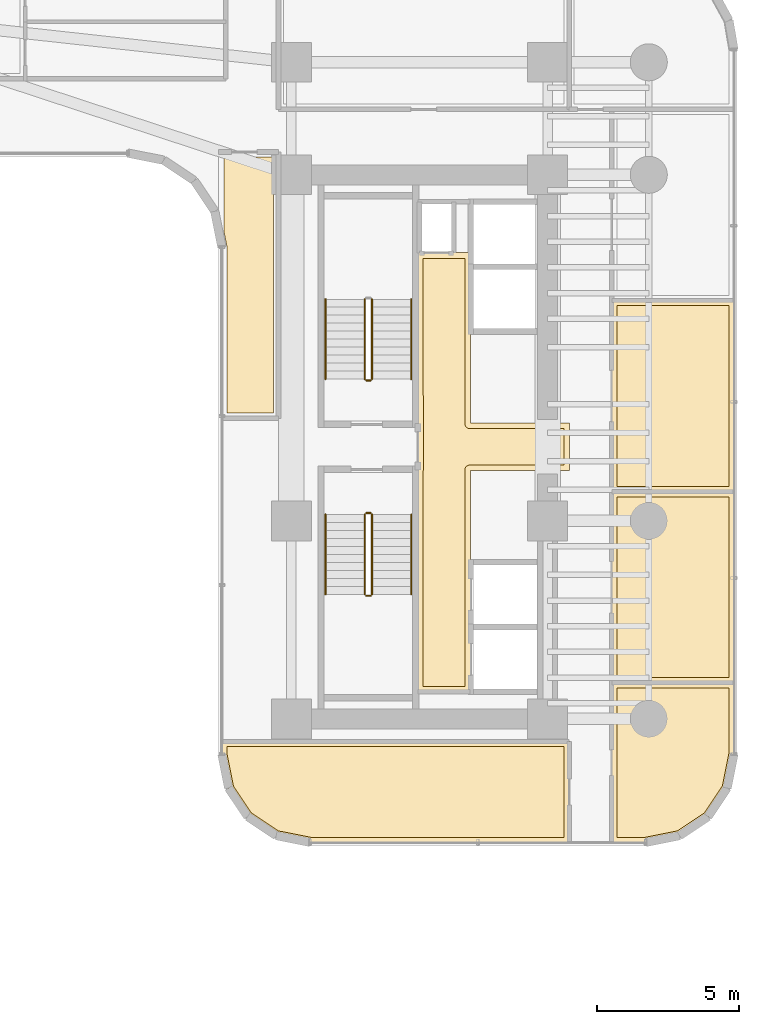
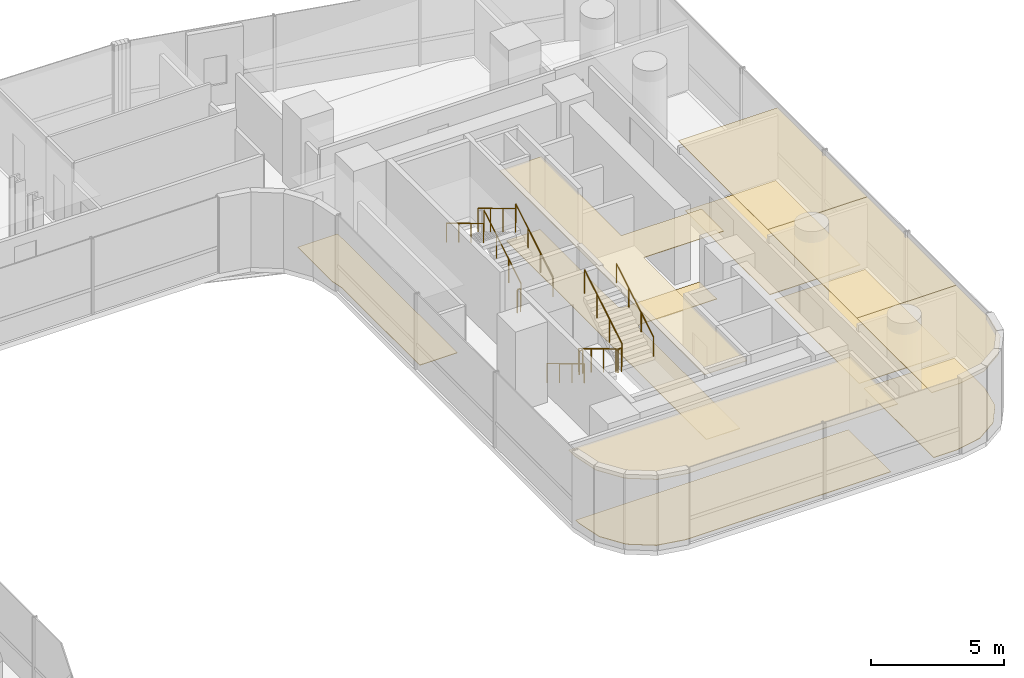
# One storey, part 39 of 41: 11 coverings, 11 railings.
"""IFC4 building model written with IfcOpenShell, lengths in metres."""

from ifc_helpers import new_model, si_unit, direction, frame, origin, origin_2d, place, context, subcontext, project, spatial, polyline, circle, outline, extrude, material, layer, layer_set, type_object, element, save


model = new_model("IFC4")

# Units and contexts
model_context = context("Model", 3, precision=1e-05, world=origin(), true_north=direction((0.0, 1.0)))
body_context = subcontext(model_context, "Body", "Model", "MODEL_VIEW")
ifc_project = project(units=[si_unit("LENGTHUNIT", "METRE"), si_unit("AREAUNIT", "SQUARE_METRE"), si_unit("VOLUMEUNIT", "CUBIC_METRE"), si_unit("PLANEANGLEUNIT", "RADIAN"), si_unit("MASSUNIT", "GRAM", prefix="KILO")], contexts=[model_context])

# Site, building, storey
site_placement = place(None, origin())
site = spatial("IfcSite", under=ifc_project, at=site_placement, CompositionType="ELEMENT")
building_placement = place(site_placement, origin())
building = spatial("IfcBuilding", under=site, at=building_placement, Name="Valdorenza Pilgrim Sanctuary Tower", CompositionType="ELEMENT")
storey_placement = place(building_placement, frame((0.0, 0.0, 85.199951171875)))
storey = spatial("IfcBuildingStorey", under=building, at=storey_placement, Name="L21", CompositionType="ELEMENT", Elevation=85.199951171875)

# Coverings
ifc_material_1 = material(Name="Micro-perforated acoustic mineral ceiling tile", Category="gypsum")
ifc_layer_1 = layer(ifc_material_1, 0.02490234375, Name="Micro-perforated acoustic mineral ceiling tile")
ifc_layer_set_1 = layer_set([ifc_layer_1], Name="Micro-perforated acoustic mineral ceiling tile")
covering_type_1 = type_object("IfcCoveringType", Name="COV-CLG-ACU", PredefinedType="CEILING", material=ifc_layer_set_1)
covering_1_placement = place(storey_placement, frame((0.0, 0.0, 3.16015625)))
element("IfcCovering", 1, at=covering_1_placement, inside=storey, type_object=covering_type_1, Name="L21 Core B Passenger Lift Lobby Acoustic Ceiling", PredefinedType="CEILING", context=body_context, shape_type="SweptSolid", body=[
    extrude(outline(polyline([(20.287109375, -0.814697265625), (20.287109375, 0.814697265625), (20.28662109375, 0.815185546875), (20.2861328125, 0.81640625), (20.28564453125, 0.81787109375), (20.285400390625, 0.819091796875), (20.28515625, 0.820556640625), (20.284912109375, 0.822021484375), (20.284912109375, 6.800048828125), (20.28515625, 6.801513671875), (20.285400390625, 6.802978515625), (20.28564453125, 6.804443359375), (20.2861328125, 6.8056640625), (20.286865234375, 6.80712890625), (20.28759765625, 6.808349609375), (20.288330078125, 6.8095703125), (20.289306640625, 6.810546875), (20.29052734375, 6.8115234375), (20.291748046875, 6.8125), (20.29296875, 6.813232421875), (20.294189453125, 6.81396484375), (20.295654296875, 6.814453125), (20.297119140625, 6.814697265625), (20.298583984375, 6.81494140625), (20.300048828125, 6.81494140625), (20.347900390625, 6.81494140625), (20.349365234375, 6.81494140625), (20.350830078125, 6.814697265625), (20.352294921875, 6.814453125), (20.353515625, 6.81396484375), (20.35498046875, 6.813232421875), (20.35546875, 6.81298828125), (21.544677734375, 6.81298828125), (21.545166015625, 6.813232421875), (21.54638671875, 6.81396484375), (21.5478515625, 6.814453125), (21.54931640625, 6.814697265625), (21.550537109375, 6.81494140625), (21.552001953125, 6.81494140625), (22.1201171875, 6.81494140625), (22.12158203125, 6.81494140625), (22.122802734375, 6.814697265625), (22.12451171875, 6.814453125), (22.125732421875, 6.81396484375), (22.127197265625, 6.813232421875), (22.12841796875, 6.8125), (22.12939453125, 6.8115234375), (22.130615234375, 6.810546875), (22.131591796875, 6.8095703125), (22.132568359375, 6.808349609375), (22.13330078125, 6.80712890625), (22.1337890625, 6.8056640625), (22.134521484375, 6.804443359375), (22.134765625, 6.802978515625), (22.135009765625, 6.801513671875), (22.135009765625, 6.800048828125), (22.135009765625, 0.8349609375), (25.60009765625, 0.8349609375), (25.6015625, 0.8349609375), (25.602783203125, 0.834716796875), (25.6044921875, 0.83447265625), (25.605712890625, 0.833984375), (25.607177734375, 0.833251953125), (25.6083984375, 0.83251953125), (25.609619140625, 0.83154296875), (25.610595703125, 0.83056640625), (25.611572265625, 0.82958984375), (25.612548828125, 0.828369140625), (25.61328125, 0.8271484375), (25.614013671875, 0.82568359375), (25.614501953125, 0.824462890625), (25.61474609375, 0.822998046875), (25.614990234375, 0.821533203125), (25.614990234375, 0.820068359375), (25.614990234375, -0.820068359375), (25.614990234375, -0.821533203125), (25.61474609375, -0.822998046875), (25.614501953125, -0.824462890625), (25.614013671875, -0.82568359375), (25.61328125, -0.8271484375), (25.612548828125, -0.828369140625), (25.611572265625, -0.82958984375), (25.610595703125, -0.83056640625), (25.609619140625, -0.83154296875), (25.6083984375, -0.83251953125), (25.607177734375, -0.833251953125), (25.605712890625, -0.833984375), (25.6044921875, -0.83447265625), (25.602783203125, -0.834716796875), (25.6015625, -0.8349609375), (25.60009765625, -0.8349609375), (22.135009765625, -0.8349609375), (22.135009765625, -8.60009765625), (22.135009765625, -8.6015625), (22.134765625, -8.602783203125), (22.134521484375, -8.6044921875), (22.1337890625, -8.605712890625), (22.13330078125, -8.607177734375), (22.132568359375, -8.6083984375), (22.131591796875, -8.609619140625), (22.130615234375, -8.610595703125), (22.12939453125, -8.611572265625), (22.12841796875, -8.612548828125), (22.127197265625, -8.61328125), (22.125732421875, -8.614013671875), (22.12451171875, -8.614501953125), (22.122802734375, -8.61474609375), (22.12158203125, -8.614990234375), (22.1201171875, -8.614990234375), (20.300048828125, -8.614990234375), (20.298583984375, -8.614990234375), (20.297119140625, -8.61474609375), (20.295654296875, -8.614501953125), (20.294189453125, -8.614013671875), (20.29296875, -8.61328125), (20.291748046875, -8.612548828125), (20.29052734375, -8.611572265625), (20.289306640625, -8.610595703125), (20.288330078125, -8.609619140625), (20.28759765625, -8.6083984375), (20.286865234375, -8.607177734375), (20.2861328125, -8.605712890625), (20.28564453125, -8.6044921875), (20.285400390625, -8.602783203125), (20.28515625, -8.6015625), (20.284912109375, -8.60009765625), (20.284912109375, -0.822021484375), (20.28515625, -0.820556640625), (20.285400390625, -0.819091796875), (20.28564453125, -0.81787109375), (20.2861328125, -0.81640625), (20.28662109375, -0.815185546875), (20.287109375, -0.814697265625)])), origin(), (0.0, 0.0, 1.0), 0.02490234375),
])
covering_2_placement = place(storey_placement, frame((0.0, 0.0, 3.16015625)))
element("IfcCovering", 2, at=covering_2_placement, inside=storey, type_object=covering_type_1, Name="L21 Theological Reference Library L21-BS Acoustic Ceiling", PredefinedType="CEILING", context=body_context, shape_type="SweptSolid", body=[
    extrude(outline(polyline([(25.614990234375, -13.889892578125), (25.614990234375, -13.8916015625), (25.61474609375, -13.892822265625), (25.614501953125, -13.894287109375), (25.614013671875, -13.895751953125), (25.61328125, -13.897216796875), (25.612548828125, -13.898193359375), (25.611572265625, -13.8994140625), (25.610595703125, -13.900634765625), (25.609619140625, -13.901611328125), (25.6083984375, -13.902587890625), (25.607177734375, -13.9033203125), (25.605712890625, -13.90380859375), (25.6044921875, -13.904296875), (25.602783203125, -13.90478515625), (25.6015625, -13.90478515625), (25.60009765625, -13.905029296875), (16.5107421875, -13.905029296875), (16.509521484375, -13.90478515625), (16.5078125, -13.90478515625), (15.3154296875, -13.66748046875), (15.31396484375, -13.6669921875), (15.3125, -13.66650390625), (15.311279296875, -13.666015625), (15.31005859375, -13.665283203125), (14.308349609375, -12.995849609375), (14.30712890625, -12.9951171875), (14.305908203125, -12.993896484375), (14.304931640625, -12.992919921875), (14.30419921875, -12.99169921875), (13.634765625, -11.989990234375), (13.634033203125, -11.98876953125), (13.63330078125, -11.9873046875), (13.6328125, -11.986083984375), (13.632568359375, -11.984619140625), (13.395263671875, -10.7919921875), (13.39501953125, -10.79052734375), (13.39501953125, -10.789306640625), (13.39501953125, -10.35009765625), (13.39501953125, -10.348388671875), (13.395263671875, -10.34716796875), (13.3955078125, -10.345703125), (13.39599609375, -10.34423828125), (13.396728515625, -10.343017578125), (13.3974609375, -10.341796875), (13.3984375, -10.340576171875), (13.3994140625, -10.33935546875), (13.400390625, -10.33837890625), (13.401611328125, -10.33740234375), (13.40283203125, -10.3369140625), (13.404296875, -10.336181640625), (13.405517578125, -10.335693359375), (13.406982421875, -10.335205078125), (13.408447265625, -10.335205078125), (13.409912109375, -10.3349609375), (25.60009765625, -10.3349609375), (25.6015625, -10.335205078125), (25.602783203125, -10.335205078125), (25.6044921875, -10.335693359375), (25.605712890625, -10.336181640625), (25.607177734375, -10.3369140625), (25.6083984375, -10.33740234375), (25.609619140625, -10.33837890625), (25.610595703125, -10.33935546875), (25.611572265625, -10.340576171875), (25.612548828125, -10.341796875), (25.61328125, -10.343017578125), (25.614013671875, -10.34423828125), (25.614501953125, -10.345703125), (25.61474609375, -10.34716796875), (25.614990234375, -10.348388671875), (25.614990234375, -10.35009765625), (25.614990234375, -13.889892578125)])), origin(), (0.0, 0.0, 1.0), 0.02490234375),
])
covering_3_placement = place(storey_placement, frame((0.0, 0.0, 3.16015625)))
element("IfcCovering", 3, at=covering_3_placement, inside=storey, type_object=covering_type_1, Name="L21 East Reading Lounge L21-EB1 Acoustic Ceiling", PredefinedType="CEILING", context=body_context, shape_type="SweptSolid", body=[
    extrude(outline(polyline([(31.389892578125, -8.2724609375), (31.3916015625, -8.272705078125), (31.392822265625, -8.272705078125), (31.394287109375, -8.273193359375), (31.395751953125, -8.273681640625), (31.397216796875, -8.2744140625), (31.398193359375, -8.27490234375), (31.3994140625, -8.27587890625), (31.400634765625, -8.27685546875), (31.401611328125, -8.278076171875), (31.402587890625, -8.279296875), (31.4033203125, -8.280517578125), (31.40380859375, -8.28173828125), (31.404296875, -8.283203125), (31.40478515625, -8.28466796875), (31.40478515625, -8.285888671875), (31.405029296875, -8.28759765625), (31.405029296875, -10.789306640625), (31.40478515625, -10.79052734375), (31.40478515625, -10.7919921875), (31.16748046875, -11.984619140625), (31.1669921875, -11.986083984375), (31.16650390625, -11.9873046875), (31.166015625, -11.98876953125), (31.165283203125, -11.989990234375), (30.495849609375, -12.99169921875), (30.4951171875, -12.992919921875), (30.493896484375, -12.993896484375), (30.492919921875, -12.9951171875), (30.49169921875, -12.995849609375), (29.489990234375, -13.665283203125), (29.48876953125, -13.666015625), (29.4873046875, -13.66650390625), (29.486083984375, -13.6669921875), (29.484619140625, -13.66748046875), (28.2919921875, -13.90478515625), (28.29052734375, -13.90478515625), (28.289306640625, -13.905029296875), (27.10009765625, -13.905029296875), (27.098388671875, -13.90478515625), (27.09716796875, -13.90478515625), (27.095703125, -13.904296875), (27.09423828125, -13.90380859375), (27.093017578125, -13.9033203125), (27.091796875, -13.902587890625), (27.090576171875, -13.901611328125), (27.08935546875, -13.900634765625), (27.08837890625, -13.8994140625), (27.08740234375, -13.898193359375), (27.0869140625, -13.897216796875), (27.086181640625, -13.895751953125), (27.085693359375, -13.894287109375), (27.085205078125, -13.892822265625), (27.085205078125, -13.8916015625), (27.0849609375, -13.889892578125), (27.0849609375, -8.28759765625), (27.085205078125, -8.285888671875), (27.085205078125, -8.28466796875), (27.085693359375, -8.283203125), (27.086181640625, -8.28173828125), (27.0869140625, -8.280517578125), (27.08740234375, -8.279296875), (27.08837890625, -8.278076171875), (27.08935546875, -8.27685546875), (27.090576171875, -8.27587890625), (27.091796875, -8.27490234375), (27.093017578125, -8.2744140625), (27.09423828125, -8.273681640625), (27.095703125, -8.273193359375), (27.09716796875, -8.272705078125), (27.098388671875, -8.272705078125), (27.10009765625, -8.2724609375), (31.389892578125, -8.2724609375)])), origin(), (0.0, 0.0, 1.0), 0.02490234375),
])
covering_4_placement = place(storey_placement, frame((0.0, 0.0, 3.16015625)))
element("IfcCovering", 4, at=covering_4_placement, inside=storey, type_object=covering_type_1, Name="L21 East Reading Lounge L21-EB2 Acoustic Ceiling", PredefinedType="CEILING", context=body_context, shape_type="SweptSolid", body=[
    extrude(outline(polyline([(27.0849609375, -1.574951171875), (27.085205078125, -1.573486328125), (27.085205078125, -1.572021484375), (27.085693359375, -1.570556640625), (27.086181640625, -1.5693359375), (27.0869140625, -1.56787109375), (27.08740234375, -1.566650390625), (27.08837890625, -1.5654296875), (27.08935546875, -1.564453125), (27.090576171875, -1.5634765625), (27.091796875, -1.5625), (27.093017578125, -1.561767578125), (27.09423828125, -1.56103515625), (27.095703125, -1.560546875), (27.09716796875, -1.560302734375), (27.098388671875, -1.56005859375), (27.10009765625, -1.56005859375), (31.389892578125, -1.56005859375), (31.3916015625, -1.56005859375), (31.392822265625, -1.560302734375), (31.394287109375, -1.560546875), (31.395751953125, -1.56103515625), (31.397216796875, -1.561767578125), (31.398193359375, -1.5625), (31.3994140625, -1.5634765625), (31.400634765625, -1.564453125), (31.401611328125, -1.5654296875), (31.402587890625, -1.566650390625), (31.4033203125, -1.56787109375), (31.40380859375, -1.5693359375), (31.404296875, -1.570556640625), (31.40478515625, -1.572021484375), (31.40478515625, -1.573486328125), (31.405029296875, -1.574951171875), (31.405029296875, -8.285400390625), (31.40478515625, -8.287109375), (31.40478515625, -8.288330078125), (31.404296875, -8.289794921875), (31.40380859375, -8.291259765625), (31.4033203125, -8.29248046875), (31.402587890625, -8.293701171875), (31.401611328125, -8.294921875), (31.400634765625, -8.296142578125), (31.3994140625, -8.297119140625), (31.398193359375, -8.298095703125), (31.397216796875, -8.298583984375), (31.395751953125, -8.29931640625), (31.394287109375, -8.2998046875), (31.392822265625, -8.30029296875), (31.3916015625, -8.30029296875), (31.389892578125, -8.300537109375), (27.10009765625, -8.300537109375), (27.098388671875, -8.30029296875), (27.09716796875, -8.30029296875), (27.095703125, -8.2998046875), (27.09423828125, -8.29931640625), (27.093017578125, -8.298583984375), (27.091796875, -8.298095703125), (27.090576171875, -8.297119140625), (27.08935546875, -8.296142578125), (27.08837890625, -8.294921875), (27.08740234375, -8.293701171875), (27.0869140625, -8.29248046875), (27.086181640625, -8.291259765625), (27.085693359375, -8.289794921875), (27.085205078125, -8.288330078125), (27.085205078125, -8.287109375), (27.0849609375, -8.285400390625), (27.0849609375, -1.574951171875)])), origin(), (0.0, 0.0, 1.0), 0.02490234375),
])
covering_5_placement = place(storey_placement, frame((0.0, 0.0, 3.16015625)))
element("IfcCovering", 5, at=covering_5_placement, inside=storey, type_object=covering_type_1, Name="L21 East Reading Lounge L21-EB3 Acoustic Ceiling", PredefinedType="CEILING", context=body_context, shape_type="SweptSolid", body=[
    extrude(outline(polyline([(27.0849609375, 5.137451171875), (27.085205078125, 5.138916015625), (27.085205078125, 5.140380859375), (27.085693359375, 5.141845703125), (27.086181640625, 5.143310546875), (27.0869140625, 5.14453125), (27.08740234375, 5.145751953125), (27.08837890625, 5.14697265625), (27.08935546875, 5.148193359375), (27.090576171875, 5.149169921875), (27.091796875, 5.14990234375), (27.093017578125, 5.150634765625), (27.09423828125, 5.1513671875), (27.095703125, 5.15185546875), (27.09716796875, 5.152099609375), (27.098388671875, 5.15234375), (27.10009765625, 5.152587890625), (31.389892578125, 5.152587890625), (31.3916015625, 5.15234375), (31.392822265625, 5.152099609375), (31.394287109375, 5.15185546875), (31.395751953125, 5.1513671875), (31.397216796875, 5.150634765625), (31.398193359375, 5.14990234375), (31.3994140625, 5.149169921875), (31.400634765625, 5.148193359375), (31.401611328125, 5.14697265625), (31.402587890625, 5.145751953125), (31.4033203125, 5.14453125), (31.40380859375, 5.143310546875), (31.404296875, 5.141845703125), (31.40478515625, 5.140380859375), (31.40478515625, 5.138916015625), (31.405029296875, 5.137451171875), (31.405029296875, -1.572998046875), (31.40478515625, -1.574462890625), (31.40478515625, -1.575927734375), (31.404296875, -1.577392578125), (31.40380859375, -1.57861328125), (31.4033203125, -1.580078125), (31.402587890625, -1.581298828125), (31.401611328125, -1.58251953125), (31.400634765625, -1.58349609375), (31.3994140625, -1.584716796875), (31.398193359375, -1.58544921875), (31.397216796875, -1.586181640625), (31.395751953125, -1.5869140625), (31.394287109375, -1.58740234375), (31.392822265625, -1.587646484375), (31.3916015625, -1.587890625), (31.389892578125, -1.587890625), (27.10009765625, -1.587890625), (27.098388671875, -1.587890625), (27.09716796875, -1.587646484375), (27.095703125, -1.58740234375), (27.09423828125, -1.5869140625), (27.093017578125, -1.586181640625), (27.091796875, -1.58544921875), (27.090576171875, -1.584716796875), (27.08935546875, -1.58349609375), (27.08837890625, -1.58251953125), (27.08740234375, -1.581298828125), (27.0869140625, -1.580078125), (27.086181640625, -1.57861328125), (27.085693359375, -1.577392578125), (27.085205078125, -1.575927734375), (27.085205078125, -1.574462890625), (27.0849609375, -1.572998046875), (27.0849609375, 5.137451171875)])), origin(), (0.0, 0.0, 1.0), 0.02490234375),
])
ifc_material_2 = material(Name="Honed travertine stone flooring", Category="masonry")
ifc_layer_2 = layer(ifc_material_2, 0.030029296875, Name="Honed travertine stone flooring")
ifc_layer_set_2 = layer_set([ifc_layer_2], Name="Honed travertine stone flooring")
covering_type_2 = type_object("IfcCoveringType", Name="COV-FLR-TRV", PredefinedType="FLOORING", material=ifc_layer_set_2)
covering_6_placement = place(storey_placement, origin())
element("IfcCovering", 6, at=covering_6_placement, inside=storey, type_object=covering_type_2, Name="L21 Core B Passenger Lift Lobby Flooring", PredefinedType="FLOORING", context=body_context, shape_type="SweptSolid", body=[
    extrude(outline(polyline([(20.47998046875, 6.617919921875), (21.550048828125, 6.617919921875), (21.550537109375, 6.617919921875), (21.93994140625, 6.619384765625), (21.93994140625, 0.820068359375), (21.94091796875, 0.802490234375), (21.943603515625, 0.784912109375), (21.94775390625, 0.767578125), (21.95361328125, 0.751220703125), (21.961181640625, 0.735107421875), (21.97021484375, 0.719970703125), (21.98095703125, 0.705810546875), (21.99267578125, 0.692626953125), (22.005859375, 0.680908203125), (22.02001953125, 0.67041015625), (22.03515625, 0.661376953125), (22.051025390625, 0.65380859375), (22.067626953125, 0.647705078125), (22.0849609375, 0.6435546875), (22.102294921875, 0.640869140625), (22.1201171875, 0.639892578125), (25.419921875, 0.639892578125), (25.419921875, -0.639892578125), (22.1201171875, -0.639892578125), (22.102294921875, -0.640869140625), (22.0849609375, -0.6435546875), (22.067626953125, -0.647705078125), (22.051025390625, -0.65380859375), (22.03515625, -0.661376953125), (22.02001953125, -0.67041015625), (22.005859375, -0.680908203125), (21.99267578125, -0.692626953125), (21.98095703125, -0.705810546875), (21.97021484375, -0.719970703125), (21.961181640625, -0.735107421875), (21.95361328125, -0.751220703125), (21.94775390625, -0.767578125), (21.943603515625, -0.784912109375), (21.94091796875, -0.802490234375), (21.93994140625, -0.820068359375), (21.93994140625, -8.419921875), (20.47998046875, -8.419921875), (20.47998046875, -0.846923828125), (20.47998046875, -0.8466796875), (20.47998046875, -0.8466796875), (20.481689453125, -0.8291015625), (20.481689453125, -0.828857421875), (20.48193359375, -0.820068359375), (20.48193359375, 0.820068359375), (20.47998046875, 6.617919921875)])), origin(), (0.0, 0.0, 1.0), 0.025146484375),
])
covering_7_placement = place(storey_placement, origin())
element("IfcCovering", 7, at=covering_7_placement, inside=storey, type_object=covering_type_2, Name="L21 Theological Reference Library L21-BS Flooring", PredefinedType="FLOORING", context=body_context, shape_type="SweptSolid", body=[
    extrude(outline(polyline([(25.419921875, -13.7099609375), (16.528564453125, -13.7099609375), (15.388671875, -13.483154296875), (14.4462890625, -12.853515625), (13.81689453125, -11.911376953125), (13.590087890625, -10.771484375), (13.590087890625, -10.530029296875), (25.419921875, -10.530029296875), (25.419921875, -13.7099609375)])), origin(), (0.0, 0.0, 1.0), 0.025146484375),
])
covering_8_placement = place(storey_placement, origin())
element("IfcCovering", 8, at=covering_8_placement, inside=storey, type_object=covering_type_2, Name="L21 East Reading Lounge L21-EB1 Flooring", PredefinedType="FLOORING", context=body_context, shape_type="SweptSolid", body=[
    extrude(outline(polyline([(31.2099609375, -8.467529296875), (31.2099609375, -10.771484375), (30.983154296875, -11.911376953125), (30.353515625, -12.853515625), (29.411376953125, -13.483154296875), (28.271484375, -13.7099609375), (27.280029296875, -13.7099609375), (27.280029296875, -8.467529296875), (31.2099609375, -8.467529296875)])), origin(), (0.0, 0.0, 1.0), 0.025146484375),
])
covering_9_placement = place(storey_placement, origin())
element("IfcCovering", 9, at=covering_9_placement, inside=storey, type_object=covering_type_2, Name="L21 East Reading Lounge L21-EB2 Flooring", PredefinedType="FLOORING", context=body_context, shape_type="SweptSolid", body=[
    extrude(outline(polyline([(27.280029296875, -1.7548828125), (31.2099609375, -1.7548828125), (31.2099609375, -8.10546875), (27.280029296875, -8.10546875), (27.280029296875, -1.7548828125)])), origin(), (0.0, 0.0, 1.0), 0.025146484375),
])
covering_10_placement = place(storey_placement, origin())
element("IfcCovering", 10, at=covering_10_placement, inside=storey, type_object=covering_type_2, Name="L21 East Reading Lounge L21-EB3 Flooring", PredefinedType="FLOORING", context=body_context, shape_type="SweptSolid", body=[
    extrude(outline(polyline([(27.280029296875, 4.95751953125), (31.2099609375, 4.95751953125), (31.2099609375, -1.39306640625), (27.280029296875, -1.39306640625), (27.280029296875, 4.95751953125)])), origin(), (0.0, 0.0, 1.0), 0.025146484375),
])
covering_11_placement = place(storey_placement, origin())
element("IfcCovering", 11, at=covering_11_placement, inside=storey, type_object=covering_type_2, Name="L21 Courtyard Overlook Salon L21 Flooring", PredefinedType="FLOORING", context=body_context, shape_type="SweptSolid", body=[
    extrude(outline(polyline([(15.219970703125, 10.169921875), (15.219970703125, 1.179931640625), (13.590087890625, 1.179931640625), (13.590087890625, 7.0), (13.58984375, 7.0087890625), (13.58935546875, 7.01953125), (13.58740234375, 7.037109375), (13.5859375, 7.0478515625), (13.58447265625, 7.056640625), (13.47998046875, 7.58154296875), (13.47998046875, 10.169921875), (15.219970703125, 10.169921875)])), origin(), (0.0, 0.0, 1.0), 0.025146484375),
])

# Railings
ifc_material_3 = material(Name="Stainless steel Grade 316", Category="steel")
railing_type_1 = type_object("IfcRailingType", Name="RLG-GRD-1120", PredefinedType="GUARDRAIL", material=ifc_material_3)
railing_1_placement = place(storey_placement, frame((18.679931640625, 2.3798828125, 0.168212890625)))
element("IfcRailing", 12, at=railing_1_placement, inside=storey, type_object=railing_type_1, Name="L21 ST-B1 stair guard 1", PredefinedType="GUARDRAIL", context=body_context, shape_type="SweptSolid", body=[
    extrude(circle(Radius=0.02392578125, at=origin_2d()), frame((0.0, 0.0, 1.076171875), z_axis=(0.0, 0.857242210791, 0.514913383045), x_axis=(-1.0, 0.0, 0.0)), (0.0, 0.0, 1.0), 3.266357421875),
    extrude(circle(Radius=0.02099609375, at=origin_2d()), origin(), (0.0, 0.0, 1.0), 1.052001953125),
    extrude(circle(Radius=0.02099609375, at=origin_2d()), frame((0.0, 0.933349609375, 0.560546875)), (0.0, 0.0, 1.0), 1.052001953125),
    extrude(circle(Radius=0.02099609375, at=origin_2d()), frame((0.0, 1.86669921875, 1.121337890625)), (0.0, 0.0, 1.0), 1.052001953125),
    extrude(circle(Radius=0.02099609375, at=origin_2d()), frame((0.0, 2.800048828125, 1.681884765625)), (0.0, 0.0, 1.0), 1.052001953125),
])
railing_2_placement = place(storey_placement, frame((18.429931640625, 5.179931640625, 2.018310546875)))
element("IfcRailing", 13, at=railing_2_placement, inside=storey, type_object=railing_type_1, Name="L21 ST-B1 stair guard 3", PredefinedType="GUARDRAIL", context=body_context, shape_type="SweptSolid", body=[
    extrude(circle(Radius=0.02392578125, at=origin_2d()), frame((0.0, 0.0, 1.076171875), z_axis=(0.0, -0.857275202839, 0.514858452973), x_axis=(1.0, 0.0, 0.0)), (0.0, 0.0, 1.0), 3.26611328125),
    extrude(circle(Radius=0.02099609375, at=origin_2d()), origin(), (0.0, 0.0, 1.0), 1.052001953125),
    extrude(circle(Radius=0.02099609375, at=origin_2d()), frame((0.0, -0.933349609375, 0.560546875)), (0.0, 0.0, 1.0), 1.052001953125),
    extrude(circle(Radius=0.02099609375, at=origin_2d()), frame((0.0, -1.86669921875, 1.12109375)), (0.0, 0.0, 1.0), 1.052001953125),
    extrude(circle(Radius=0.02099609375, at=origin_2d()), frame((0.0, -2.800048828125, 1.681640625)), (0.0, 0.0, 1.0), 1.052001953125),
])
railing_3_placement = place(storey_placement, frame((18.6298828125, 2.330078125, 0.0)))
element("IfcRailing", 14, at=railing_3_placement, inside=storey, type_object=railing_type_1, Name="L21 ST-B1 stair guard 4", PredefinedType="GUARDRAIL", context=body_context, shape_type="SweptSolid", body=[
    extrude(circle(Radius=0.02392578125, at=origin_2d()), frame((0.0, 0.0, 1.076171875), z_axis=(-1.0, 0.0, 0.0), x_axis=(0.0, -1.0, 0.0)), (0.0, 0.0, 1.0), 0.14990234375),
    extrude(circle(Radius=0.02099609375, at=origin_2d()), origin(), (0.0, 0.0, 1.0), 1.052001953125),
    extrude(circle(Radius=0.02099609375, at=origin_2d()), frame((-0.14990234375, 0.0, 0.0)), (0.0, 0.0, 1.0), 1.052001953125),
])
railing_4_placement = place(storey_placement, frame((18.429931640625, -2.3798828125, 0.168212890625)))
element("IfcRailing", 15, at=railing_4_placement, inside=storey, type_object=railing_type_1, Name="L21 ST-B2 stair guard 1", PredefinedType="GUARDRAIL", context=body_context, shape_type="SweptSolid", body=[
    extrude(circle(Radius=0.02392578125, at=origin_2d()), frame((0.0, 0.0, 1.076171875), z_axis=(0.0, -0.857242210791, 0.514913383045), x_axis=(1.0, 0.0, 0.0)), (0.0, 0.0, 1.0), 3.266357421875),
    extrude(circle(Radius=0.02099609375, at=origin_2d()), origin(), (0.0, 0.0, 1.0), 1.052001953125),
    extrude(circle(Radius=0.02099609375, at=origin_2d()), frame((0.0, -0.933349609375, 0.560546875)), (0.0, 0.0, 1.0), 1.052001953125),
    extrude(circle(Radius=0.02099609375, at=origin_2d()), frame((0.0, -1.86669921875, 1.121337890625)), (0.0, 0.0, 1.0), 1.052001953125),
    extrude(circle(Radius=0.02099609375, at=origin_2d()), frame((0.0, -2.800048828125, 1.681884765625)), (0.0, 0.0, 1.0), 1.052001953125),
])
railing_5_placement = place(storey_placement, frame((18.47998046875, -5.22998046875, 1.85009765625)))
element("IfcRailing", 16, at=railing_5_placement, inside=storey, type_object=railing_type_1, Name="L21 ST-B2 stair guard 2", PredefinedType="GUARDRAIL", context=body_context, shape_type="SweptSolid", body=[
    extrude(circle(Radius=0.02392578125, at=origin_2d()), frame((0.0, 0.0, 1.076171875), z_axis=(1.0, 0.0, 0.0), x_axis=(0.0, 1.0, 0.0)), (0.0, 0.0, 1.0), 0.14990234375),
    extrude(circle(Radius=0.02099609375, at=origin_2d()), origin(), (0.0, 0.0, 1.0), 1.052001953125),
    extrude(circle(Radius=0.02099609375, at=origin_2d()), frame((0.14990234375, 0.0, 0.0)), (0.0, 0.0, 1.0), 1.052001953125),
])
railing_6_placement = place(storey_placement, frame((18.679931640625, -5.179931640625, 2.018310546875)))
element("IfcRailing", 17, at=railing_6_placement, inside=storey, type_object=railing_type_1, Name="L21 ST-B2 stair guard 3", PredefinedType="GUARDRAIL", context=body_context, shape_type="SweptSolid", body=[
    extrude(circle(Radius=0.02392578125, at=origin_2d()), frame((0.0, 0.0, 1.076171875), z_axis=(0.0, 0.857275202839, 0.514858452973), x_axis=(-1.0, 0.0, 0.0)), (0.0, 0.0, 1.0), 3.26611328125),
    extrude(circle(Radius=0.02099609375, at=origin_2d()), origin(), (0.0, 0.0, 1.0), 1.052001953125),
    extrude(circle(Radius=0.02099609375, at=origin_2d()), frame((0.0, 0.933349609375, 0.560546875)), (0.0, 0.0, 1.0), 1.052001953125),
    extrude(circle(Radius=0.02099609375, at=origin_2d()), frame((0.0, 1.86669921875, 1.12109375)), (0.0, 0.0, 1.0), 1.052001953125),
    extrude(circle(Radius=0.02099609375, at=origin_2d()), frame((0.0, 2.800048828125, 1.681640625)), (0.0, 0.0, 1.0), 1.052001953125),
])
railing_7_placement = place(storey_placement, frame((18.47998046875, -2.330078125, 0.0)))
element("IfcRailing", 18, at=railing_7_placement, inside=storey, type_object=railing_type_1, Name="L21 ST-B2 stair guard 4", PredefinedType="GUARDRAIL", context=body_context, shape_type="SweptSolid", body=[
    extrude(circle(Radius=0.02392578125, at=origin_2d()), frame((0.0, 0.0, 1.076171875), z_axis=(1.0, 0.0, 0.0), x_axis=(0.0, 1.0, 0.0)), (0.0, 0.0, 1.0), 0.14990234375),
    extrude(circle(Radius=0.02099609375, at=origin_2d()), origin(), (0.0, 0.0, 1.0), 1.052001953125),
    extrude(circle(Radius=0.02099609375, at=origin_2d()), frame((0.14990234375, 0.0, 0.0)), (0.0, 0.0, 1.0), 1.052001953125),
])
ifc_material_4 = material(Name="Brushed stainless steel Grade 316", Category="steel")
railing_type_2 = type_object("IfcRailingType", Name="RLG-HND-920", PredefinedType="HANDRAIL", material=ifc_material_4)
railing_8_placement = place(storey_placement, frame((20.06005859375, 2.3798828125, 0.168212890625)))
element("IfcRailing", 19, at=railing_8_placement, inside=storey, type_object=railing_type_2, Name="L21 ST-B1 stair handrail 1", PredefinedType="HANDRAIL", context=body_context, shape_type="SweptSolid", body=[
    extrude(circle(Radius=0.02392578125, at=origin_2d()), frame((0.0, 0.0, 0.8759765625), z_axis=(0.0, 0.857242210791, 0.514913383045), x_axis=(-1.0, 0.0, 0.0)), (0.0, 0.0, 1.0), 3.266357421875),
    extrude(circle(Radius=0.02099609375, at=origin_2d()), origin(), (0.0, 0.0, 1.0), 0.851806640625),
    extrude(circle(Radius=0.02099609375, at=origin_2d()), frame((0.0, 0.933349609375, 0.560546875)), (0.0, 0.0, 1.0), 0.851806640625),
    extrude(circle(Radius=0.02099609375, at=origin_2d()), frame((0.0, 1.86669921875, 1.121337890625)), (0.0, 0.0, 1.0), 0.851806640625),
    extrude(circle(Radius=0.02099609375, at=origin_2d()), frame((0.0, 2.800048828125, 1.681884765625)), (0.0, 0.0, 1.0), 0.851806640625),
])
railing_9_placement = place(storey_placement, frame((17.050048828125, 5.179931640625, 2.018310546875)))
element("IfcRailing", 20, at=railing_9_placement, inside=storey, type_object=railing_type_2, Name="L21 ST-B1 stair handrail 2", PredefinedType="HANDRAIL", context=body_context, shape_type="SweptSolid", body=[
    extrude(circle(Radius=0.02392578125, at=origin_2d()), frame((0.0, 0.0, 0.8759765625), z_axis=(0.0, -0.857275202839, 0.514858452973), x_axis=(1.0, 0.0, 0.0)), (0.0, 0.0, 1.0), 3.26611328125),
    extrude(circle(Radius=0.02099609375, at=origin_2d()), origin(), (0.0, 0.0, 1.0), 0.851806640625),
    extrude(circle(Radius=0.02099609375, at=origin_2d()), frame((0.0, -0.933349609375, 0.560546875)), (0.0, 0.0, 1.0), 0.851806640625),
    extrude(circle(Radius=0.02099609375, at=origin_2d()), frame((0.0, -1.86669921875, 1.12109375)), (0.0, 0.0, 1.0), 0.851806640625),
    extrude(circle(Radius=0.02099609375, at=origin_2d()), frame((0.0, -2.800048828125, 1.681640625)), (0.0, 0.0, 1.0), 0.851806640625),
])
railing_10_placement = place(storey_placement, frame((17.050048828125, -2.3798828125, 0.168212890625)))
element("IfcRailing", 21, at=railing_10_placement, inside=storey, type_object=railing_type_2, Name="L21 ST-B2 stair handrail 1", PredefinedType="HANDRAIL", context=body_context, shape_type="SweptSolid", body=[
    extrude(circle(Radius=0.02392578125, at=origin_2d()), frame((0.0, 0.0, 0.8759765625), z_axis=(0.0, -0.857242210791, 0.514913383045), x_axis=(1.0, 0.0, 0.0)), (0.0, 0.0, 1.0), 3.266357421875),
    extrude(circle(Radius=0.02099609375, at=origin_2d()), origin(), (0.0, 0.0, 1.0), 0.851806640625),
    extrude(circle(Radius=0.02099609375, at=origin_2d()), frame((0.0, -0.933349609375, 0.560546875)), (0.0, 0.0, 1.0), 0.851806640625),
    extrude(circle(Radius=0.02099609375, at=origin_2d()), frame((0.0, -1.86669921875, 1.121337890625)), (0.0, 0.0, 1.0), 0.851806640625),
    extrude(circle(Radius=0.02099609375, at=origin_2d()), frame((0.0, -2.800048828125, 1.681884765625)), (0.0, 0.0, 1.0), 0.851806640625),
])
railing_11_placement = place(storey_placement, frame((20.06005859375, -5.179931640625, 2.018310546875)))
element("IfcRailing", 22, at=railing_11_placement, inside=storey, type_object=railing_type_2, Name="L21 ST-B2 stair handrail 2", PredefinedType="HANDRAIL", context=body_context, shape_type="SweptSolid", body=[
    extrude(circle(Radius=0.02392578125, at=origin_2d()), frame((0.0, 0.0, 0.8759765625), z_axis=(0.0, 0.857275202839, 0.514858452973), x_axis=(-1.0, 0.0, 0.0)), (0.0, 0.0, 1.0), 3.26611328125),
    extrude(circle(Radius=0.02099609375, at=origin_2d()), origin(), (0.0, 0.0, 1.0), 0.851806640625),
    extrude(circle(Radius=0.02099609375, at=origin_2d()), frame((0.0, 0.933349609375, 0.560546875)), (0.0, 0.0, 1.0), 0.851806640625),
    extrude(circle(Radius=0.02099609375, at=origin_2d()), frame((0.0, 1.86669921875, 1.12109375)), (0.0, 0.0, 1.0), 0.851806640625),
    extrude(circle(Radius=0.02099609375, at=origin_2d()), frame((0.0, 2.800048828125, 1.681640625)), (0.0, 0.0, 1.0), 0.851806640625),
])

save(model, "model.ifc")
